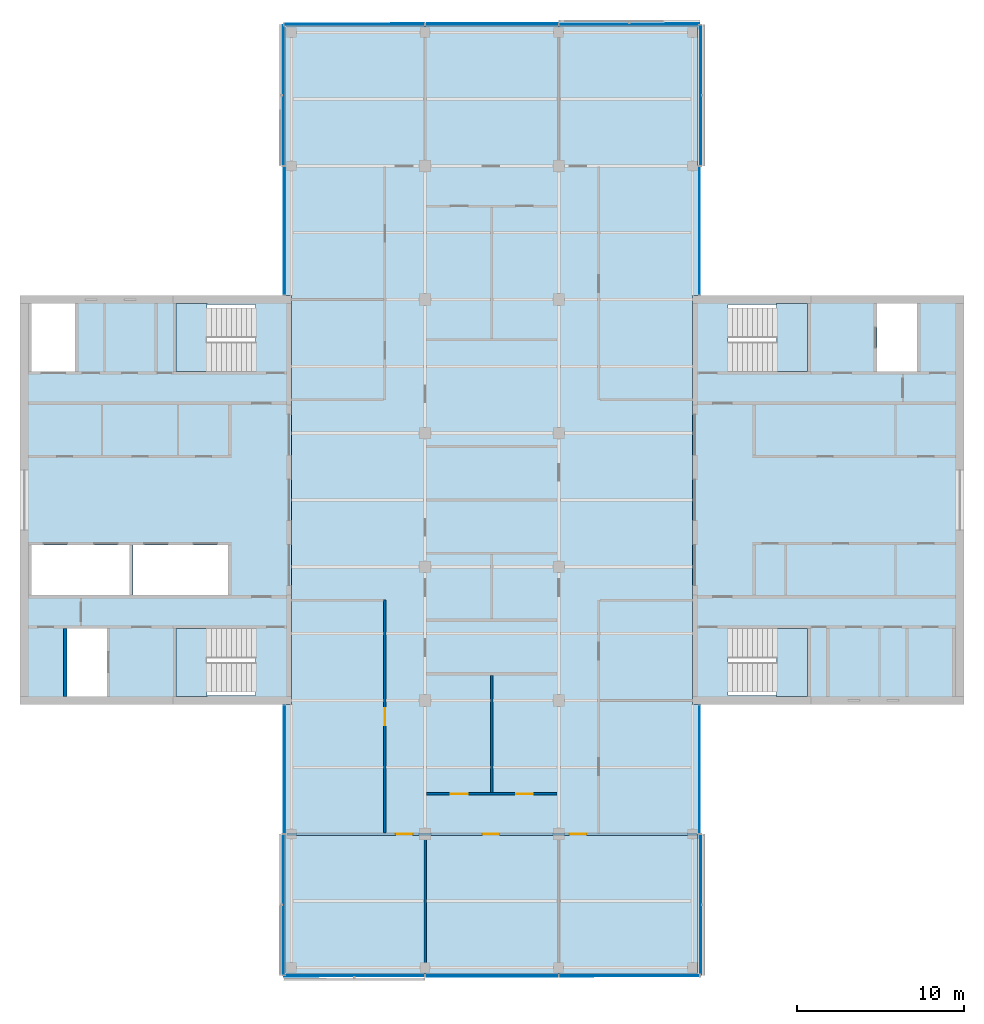
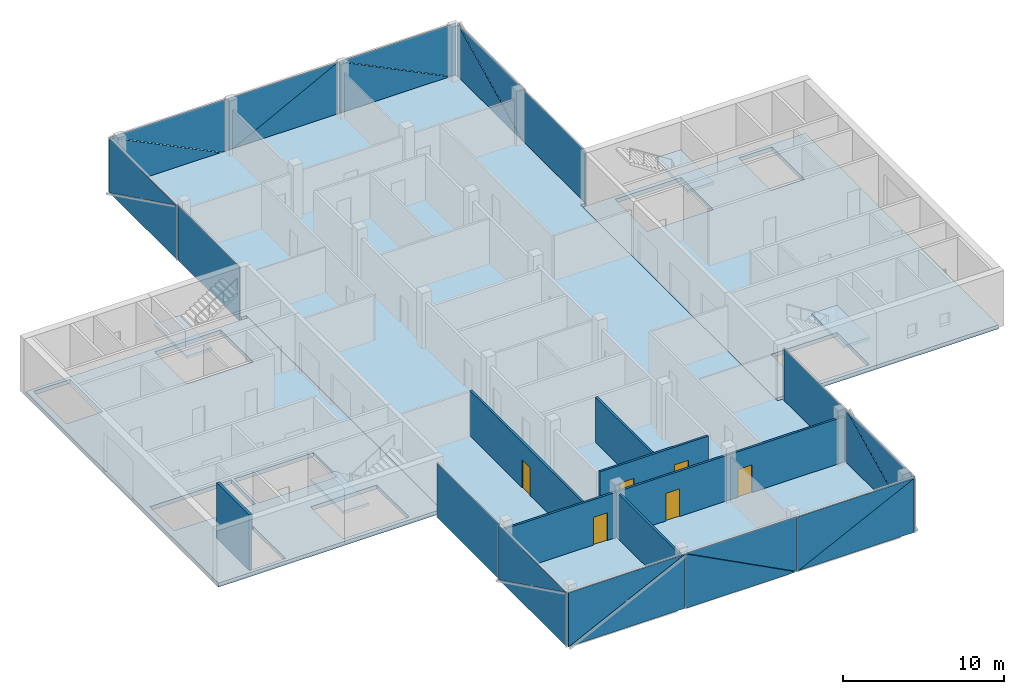
# One storey, part 8 of 16: 24 plates, 7 slabs, 6 doors, 6 walls, 6 openings, 14 elements without a shape of their own.
"""IFC4 building model written with IfcOpenShell, lengths in metres."""

from ifc_helpers import new_model, si_unit, direction, frame, frame_2d, origin, place, context, subcontext, project, spatial, polyline, rectangle, outline, extrude, material, layer, layer_set, type_object, element, fill, aggregate, save


model = new_model("IFC4")

# Units and contexts
model_context = context("Model", 3, precision=1e-05, world=origin(), true_north=direction((0.0, 1.0)))
body_context = subcontext(model_context, "Body", "Model", "MODEL_VIEW")
ifc_project = project(units=[si_unit("LENGTHUNIT", "METRE"), si_unit("AREAUNIT", "SQUARE_METRE"), si_unit("VOLUMEUNIT", "CUBIC_METRE"), si_unit("PLANEANGLEUNIT", "RADIAN"), si_unit("MASSUNIT", "GRAM", prefix="KILO")], contexts=[model_context])

# Site, building, storey
site_placement = place(None, origin())
site = spatial("IfcSite", under=ifc_project, at=site_placement, CompositionType="ELEMENT")
building_placement = place(site_placement, origin())
building = spatial("IfcBuilding", under=site, at=building_placement, Name="Crosswind Convention Tower", CompositionType="ELEMENT")
storey_placement = place(building_placement, frame((0.0, 0.0, 253.5)))
storey = spatial("IfcBuildingStorey", under=building, at=storey_placement, Name="L54", CompositionType="ELEMENT", Elevation=253.5)

# Slabs
ifc_material_1 = material(Name="Concrete C40/50", Category="concrete")
ifc_layer_1 = layer(ifc_material_1, 0.300048828125)
ifc_layer_set_1 = layer_set([ifc_layer_1], Name="Concrete C40/50")
slab_type_1 = type_object("IfcSlabType", Name="Composite floor slab 300", PredefinedType="FLOOR", material=ifc_layer_set_1)
slab_1_placement = place(storey_placement, frame((0.0, 0.0, -0.300048828125)))
element("IfcSlab", 1, at=slab_1_placement, inside=storey, type_object=slab_type_1, Name="Floor slab L54", PredefinedType="FLOOR", context=body_context, shape_type="SweptSolid", body=[
    extrude(outline(polyline([(137.35009765625, 71.64990234375), (137.0, 71.64990234375), (113.0, 71.64990234375), (112.64990234375, 71.64990234375), (112.64990234375, 72.0), (112.64990234375, 87.75), (113.0, 87.75), (113.0, 112.25), (112.64990234375, 112.25), (112.64990234375, 128.0), (112.64990234375, 128.35009765625), (113.0, 128.35009765625), (137.0, 128.35009765625), (137.35009765625, 128.35009765625), (137.35009765625, 128.0), (137.35009765625, 112.25), (137.0, 112.25), (137.0, 87.75), (137.35009765625, 87.75), (137.35009765625, 72.0), (137.35009765625, 71.64990234375)])), origin(), (0.0, 0.0, 1.0), 0.300048828125),
])
ifc_layer_2 = layer(ifc_material_1, 0.300048828125)
ifc_layer_set_2 = layer_set([ifc_layer_2], Name="Concrete C40/50")
slab_type_2 = type_object("IfcSlabType", Name="Concrete core floor slab 300", PredefinedType="FLOOR", material=ifc_layer_set_2)
slab_2_placement = place(storey_placement, frame((0.0, 0.0, -0.300048828125)))
element("IfcSlab", 2, at=slab_2_placement, inside=storey, type_object=slab_type_2, Name="Core floor slab E L54", PredefinedType="FLOOR", context=body_context, shape_type="SweptSolid", body=[
    extrude(outline(polyline([(137.0, 88.0), (153.0, 88.0), (153.0, 112.0), (137.0, 112.0), (137.0, 88.0)]), holes=[polyline([(150.449951171875, 107.699951171875), (150.449951171875, 111.75), (148.050048828125, 111.75), (148.050048828125, 107.699951171875), (150.449951171875, 107.699951171875)]), polyline([(143.89990234375, 107.699951171875), (143.89990234375, 111.699951171875), (139.14990234375, 111.699951171875), (139.14990234375, 107.699951171875), (143.89990234375, 107.699951171875)]), polyline([(143.89990234375, 88.300048828125), (143.89990234375, 92.300048828125), (139.14990234375, 92.300048828125), (139.14990234375, 88.300048828125), (143.89990234375, 88.300048828125)])]), origin(), (0.0, 0.0, 1.0), 0.300048828125),
])
slab_3_placement = place(storey_placement, frame((0.0, 0.0, -0.300048828125)))
element("IfcSlab", 3, at=slab_3_placement, inside=storey, type_object=slab_type_2, Name="Core floor slab W L54", PredefinedType="FLOOR", context=body_context, shape_type="SweptSolid", body=[
    extrude(outline(polyline([(97.0, 88.0), (113.0, 88.0), (113.0, 112.0), (97.0, 112.0), (97.0, 88.0)]), holes=[polyline([(109.199951171875, 94.300048828125), (109.199951171875, 97.300048828125), (103.5, 97.300048828125), (103.5, 94.300048828125), (109.199951171875, 94.300048828125)]), polyline([(103.300048828125, 94.300048828125), (103.300048828125, 97.300048828125), (97.449951171875, 97.300048828125), (97.449951171875, 94.300048828125), (103.300048828125, 94.300048828125)]), polyline([(101.949951171875, 88.25), (101.949951171875, 92.300048828125), (99.550048828125, 92.300048828125), (99.550048828125, 88.25), (101.949951171875, 88.25)]), polyline([(100.050048828125, 107.699951171875), (100.050048828125, 111.75), (97.449951171875, 111.75), (97.449951171875, 107.699951171875), (100.050048828125, 107.699951171875)]), polyline([(110.85009765625, 88.300048828125), (110.85009765625, 92.300048828125), (106.10009765625, 92.300048828125), (106.10009765625, 88.300048828125), (110.85009765625, 88.300048828125)]), polyline([(110.85009765625, 107.699951171875), (110.85009765625, 111.699951171875), (106.10009765625, 111.699951171875), (106.10009765625, 107.699951171875), (110.85009765625, 107.699951171875)])]), origin(), (0.0, 0.0, 1.0), 0.300048828125),
])

# Stair, slab
stair_type = type_object("IfcStairType", Name="Exit stair 1800 wide, 2 flights of 11 risers", PredefinedType="HALF_TURN_STAIR", material=ifc_material_1)
stair_1_placement = place(storey_placement, origin())
stair_1 = element("IfcStair", 4, at=stair_1_placement, inside=storey, type_object=stair_type, Name="Exit stair ST1 L54", ObjectType="ST5", PredefinedType="HALF_TURN_STAIR")
ifc_layer_3 = layer(ifc_material_1, 0.199951171875)
ifc_layer_set_3 = layer_set([ifc_layer_3], Name="Concrete C40/50")
slab_type_3 = type_object("IfcSlabType", Name="Stair landing 200", PredefinedType="LANDING", material=ifc_layer_set_3)
slab_4_placement = place(storey_placement, frame((0.0, 0.0, 1.89990234375)))
slab_4 = element("IfcSlab", 5, at=slab_4_placement, type_object=slab_type_3, Name="ST1 landing 1", PredefinedType="LANDING", context=body_context, shape_type="SweptSolid", body=[
    extrude(outline(polyline([(143.89990234375, 107.699951171875), (143.89990234375, 111.75), (142.050048828125, 111.75), (142.050048828125, 107.699951171875), (143.89990234375, 107.699951171875)])), origin(), (0.0, 0.0, 1.0), 0.2001953125),
])
aggregate(stair_1, [slab_4])

stair_2_placement = place(storey_placement, origin())
stair_2 = element("IfcStair", 6, at=stair_2_placement, inside=storey, type_object=stair_type, Name="Exit stair ST2 L54", ObjectType="ST5", PredefinedType="HALF_TURN_STAIR")
slab_5_placement = place(storey_placement, frame((0.0, 0.0, 1.89990234375)))
slab_5 = element("IfcSlab", 7, at=slab_5_placement, type_object=slab_type_3, Name="ST2 landing 1", PredefinedType="LANDING", context=body_context, shape_type="SweptSolid", body=[
    extrude(outline(polyline([(143.89990234375, 88.25), (143.89990234375, 92.300048828125), (142.050048828125, 92.300048828125), (142.050048828125, 88.25), (143.89990234375, 88.25)])), origin(), (0.0, 0.0, 1.0), 0.2001953125),
])
aggregate(stair_2, [slab_5])

stair_3_placement = place(storey_placement, origin())
stair_3 = element("IfcStair", 8, at=stair_3_placement, inside=storey, type_object=stair_type, Name="Exit stair ST3 L54", ObjectType="ST5", PredefinedType="HALF_TURN_STAIR")
slab_6_placement = place(storey_placement, frame((0.0, 0.0, 1.89990234375)))
slab_6 = element("IfcSlab", 9, at=slab_6_placement, type_object=slab_type_3, Name="ST3 landing 1", PredefinedType="LANDING", context=body_context, shape_type="SweptSolid", body=[
    extrude(outline(polyline([(107.949951171875, 88.25), (107.949951171875, 92.300048828125), (106.10009765625, 92.300048828125), (106.10009765625, 88.25), (107.949951171875, 88.25)])), origin(), (0.0, 0.0, 1.0), 0.2001953125),
])
aggregate(stair_3, [slab_6])

stair_4_placement = place(storey_placement, origin())
stair_4 = element("IfcStair", 10, at=stair_4_placement, inside=storey, type_object=stair_type, Name="Exit stair ST4 L54", ObjectType="ST5", PredefinedType="HALF_TURN_STAIR")
slab_7_placement = place(storey_placement, frame((0.0, 0.0, 1.89990234375)))
slab_7 = element("IfcSlab", 11, at=slab_7_placement, type_object=slab_type_3, Name="ST4 landing 1", PredefinedType="LANDING", context=body_context, shape_type="SweptSolid", body=[
    extrude(outline(polyline([(107.949951171875, 107.699951171875), (107.949951171875, 111.75), (106.10009765625, 111.75), (106.10009765625, 107.699951171875), (107.949951171875, 107.699951171875)])), origin(), (0.0, 0.0, 1.0), 0.2001953125),
])
aggregate(stair_4, [slab_7])

# Curtain wall, plate
ifc_material_2 = material(Name="Aluminium unitised curtain wall", Category="aluminium")
curtain_wall_type_1 = type_object("IfcCurtainWallType", Name="CORE END SLOT WALL 160", PredefinedType="USERDEFINED", material=ifc_material_2)
curtain_wall_1_placement = place(storey_placement, origin())
curtain_wall_1 = element("IfcCurtainWall", 12, at=curtain_wall_1_placement, inside=storey, type_object=curtain_wall_type_1, Name="CW6 L54 N-E.1-1 slot", ObjectType="UNITISED", PredefinedType="USERDEFINED")
ifc_material_3 = material(Name="Laminated insulating glass unit", Category="glass")
ifc_layer_4 = layer(ifc_material_3, 0.02587890625)
ifc_layer_set_4 = layer_set([ifc_layer_4], Name="TRIANGULAR GLASS PANEL 26")
plate_type_1 = type_object("IfcPlateType", Name="TRIANGULAR GLASS PANEL 26", PredefinedType="CURTAIN_PANEL", material=ifc_layer_set_4)
plate_1_placement = place(storey_placement, frame((137.456787109375, 112.300048828125, -0.300048828125), z_axis=(0.999999915215, 0.0, 0.000411788894), x_axis=(0.0, 1.0, 0.0)))
plate_1 = element("IfcPlate", 13, at=plate_1_placement, type_object=plate_type_1, Name="CW6 panel 1.1", PredefinedType="CURTAIN_PANEL", context=body_context, shape_type="SweptSolid", body=[
    extrude(outline(polyline([(0.0, 0.0), (7.64990234375, 0.0), (7.64990234375, 4.150146836245408), (0.0, 4.150146836245408), (0.0, 0.0)])), origin(), (0.0, 0.0, -1.0), 0.02587890625),
])
aggregate(curtain_wall_1, [plate_1])

curtain_wall_2_placement = place(storey_placement, origin())
curtain_wall_2 = element("IfcCurtainWall", 14, at=curtain_wall_2_placement, inside=storey, type_object=curtain_wall_type_1, Name="CW6 L54 N-W.1-2 slot", ObjectType="UNITISED", PredefinedType="USERDEFINED")
plate_2_placement = place(storey_placement, frame((112.543212890625, 119.949951171875, -0.300048828125), z_axis=(-0.999999915215, 0.0, 0.000411788894), x_axis=(0.0, -1.0, 0.0)))
plate_2 = element("IfcPlate", 15, at=plate_2_placement, type_object=plate_type_1, Name="CW6 panel 1.1", PredefinedType="CURTAIN_PANEL", context=body_context, shape_type="SweptSolid", body=[
    extrude(outline(polyline([(0.0, 0.0), (7.64990234375, 0.0), (7.64990234375, 4.150146836245408), (0.0, 4.150146836245408), (0.0, 0.0)])), origin(), (0.0, 0.0, -1.0), 0.02587890625),
])
aggregate(curtain_wall_2, [plate_2])

curtain_wall_3_placement = place(storey_placement, origin())
curtain_wall_3 = element("IfcCurtainWall", 16, at=curtain_wall_3_placement, inside=storey, type_object=curtain_wall_type_1, Name="CW6 L54 S-W.1-1 slot", ObjectType="UNITISED", PredefinedType="USERDEFINED")
plate_3_placement = place(storey_placement, frame((112.543212890625, 87.699951171875, -0.300048828125), z_axis=(-0.999999915215, 0.0, 0.000411788894), x_axis=(0.0, -1.0, 0.0)))
plate_3 = element("IfcPlate", 17, at=plate_3_placement, type_object=plate_type_1, Name="CW6 panel 1.1", PredefinedType="CURTAIN_PANEL", context=body_context, shape_type="SweptSolid", body=[
    extrude(outline(polyline([(0.0, 0.0), (7.64990234375, 0.0), (7.64990234375, 4.150146836245408), (0.0, 4.150146836245408), (0.0, 0.0)])), origin(), (0.0, 0.0, -1.0), 0.02587890625),
])
aggregate(curtain_wall_3, [plate_3])

curtain_wall_4_placement = place(storey_placement, origin())
curtain_wall_4 = element("IfcCurtainWall", 18, at=curtain_wall_4_placement, inside=storey, type_object=curtain_wall_type_1, Name="CW6 L54 S-E.1-2 slot", ObjectType="UNITISED", PredefinedType="USERDEFINED")
plate_4_placement = place(storey_placement, frame((137.456787109375, 80.050048828125, -0.300048828125), z_axis=(0.999999915215, 0.0, 0.000411788894), x_axis=(0.0, 1.0, 0.0)))
plate_4 = element("IfcPlate", 19, at=plate_4_placement, type_object=plate_type_1, Name="CW6 panel 1.1", PredefinedType="CURTAIN_PANEL", context=body_context, shape_type="SweptSolid", body=[
    extrude(outline(polyline([(0.0, 0.0), (7.64990234375, 0.0), (7.64990234375, 4.150146836245408), (0.0, 4.150146836245408), (0.0, 0.0)])), origin(), (0.0, 0.0, -1.0), 0.02587890625),
])
aggregate(curtain_wall_4, [plate_4])

# Curtain wall, plates
curtain_wall_type_2 = type_object("IfcCurtainWallType", Name="OFFICE UNITISED WALL 220", PredefinedType="USERDEFINED", material=ifc_material_2)
curtain_wall_5_placement = place(storey_placement, origin())
curtain_wall_5 = element("IfcCurtainWall", 20, at=curtain_wall_5_placement, inside=storey, type_object=curtain_wall_type_2, Name="CW3 L54 N-E 1", ObjectType="UNITISED", PredefinedType="USERDEFINED")
ifc_layer_5 = layer(ifc_material_3, 0.031982421875)
ifc_layer_set_5 = layer_set([ifc_layer_5], Name="TRIANGULAR GLASS PANEL 32")
plate_type_2 = type_object("IfcPlateType", Name="TRIANGULAR GLASS PANEL 32", PredefinedType="CURTAIN_PANEL", material=ifc_layer_set_5)
plate_5_placement = place(storey_placement, frame((137.492919921875, 128.425048828125, -0.300048828125), z_axis=(0.999999913924, 0.0, 0.000414913129), x_axis=(-0.000414913129, 0.0, 0.999999913924)))
plate_5 = element("IfcPlate", 21, at=plate_5_placement, type_object=plate_type_2, Name="CW3 panel 1.1", PredefinedType="CURTAIN_PANEL", context=body_context, shape_type="SweptSolid", body=[
    extrude(outline(polyline([(0.0, 0.0), (4.118896838915043, 0.0), (0.0, 8.367431640625), (0.0, 0.0)])), origin(), (0.0, 0.0, -1.0), 0.031982421875),
])
plate_6_placement = place(storey_placement, frame((137.525146484375, 120.034912109375, 3.830078125), z_axis=(0.999999913924, 0.0, 0.000414913129), x_axis=(0.000414913129, 0.0, -0.999999913924)))
plate_6 = element("IfcPlate", 22, at=plate_6_placement, type_object=plate_type_2, Name="CW3 panel 1.2", PredefinedType="CURTAIN_PANEL", context=body_context, shape_type="SweptSolid", body=[
    extrude(outline(polyline([(0.0, 0.0), (4.118896838915043, 0.0), (0.0, 8.367431640625), (0.0, 0.0)])), origin(), (0.0, 0.0, -1.0), 0.031982421875),
])
aggregate(curtain_wall_5, [plate_5, plate_6])

curtain_wall_6_placement = place(storey_placement, origin())
curtain_wall_6 = element("IfcCurtainWall", 23, at=curtain_wall_6_placement, inside=storey, type_object=curtain_wall_type_2, Name="CW3 L54 N-TIP 1", ObjectType="UNITISED", PredefinedType="USERDEFINED")
plate_7_placement = place(storey_placement, frame((129.034912109375, 128.492919921875, -0.300048828125), z_axis=(0.0, 0.999999913924, 0.000414913129), x_axis=(0.0, -0.000414913129, 0.999999913924)))
plate_7 = element("IfcPlate", 24, at=plate_7_placement, type_object=plate_type_2, Name="CW3 panel 1.1", PredefinedType="CURTAIN_PANEL", context=body_context, shape_type="SweptSolid", body=[
    extrude(outline(polyline([(0.0, 0.0), (4.118896838915043, 0.0), (0.0, 8.367431640625), (0.0, 0.0)])), origin(), (0.0, 0.0, -1.0), 0.031982421875),
])
plate_8_placement = place(storey_placement, frame((137.425048828125, 128.525146484375, 3.830078125), z_axis=(0.0, 0.999999913924, 0.000414913129), x_axis=(0.0, 0.000414913129, -0.999999913924)))
plate_8 = element("IfcPlate", 25, at=plate_8_placement, type_object=plate_type_2, Name="CW3 panel 1.2", PredefinedType="CURTAIN_PANEL", context=body_context, shape_type="SweptSolid", body=[
    extrude(outline(polyline([(0.0, 0.0), (4.118896838915043, 0.0), (0.0, 8.367431640625), (0.0, 0.0)])), origin(), (0.0, 0.0, -1.0), 0.031982421875),
])
plate_9_placement = place(storey_placement, frame((121.034912109375, 128.4912109375, 3.830078125), z_axis=(0.0, 0.999999913924, 0.000414913129), x_axis=(1.0, 0.0, 0.0)))
plate_9 = element("IfcPlate", 26, at=plate_9_placement, type_object=plate_type_2, Name="CW3 panel 2.1", PredefinedType="CURTAIN_PANEL", context=body_context, shape_type="SweptSolid", body=[
    extrude(outline(polyline([(0.0, 0.0), (7.908447265625, 0.0), (0.0, 4.118896838915043), (0.0, 0.0)])), origin(), (0.0, 0.0, -1.0), 0.031982421875),
])
plate_10_placement = place(storey_placement, frame((128.965087890625, 128.52685546875, -0.300048828125), z_axis=(0.0, 0.999999913913, 0.000414937724), x_axis=(-1.0, 0.0, 0.0)))
plate_10 = element("IfcPlate", 27, at=plate_10_placement, type_object=plate_type_2, Name="CW3 panel 2.2", PredefinedType="CURTAIN_PANEL", context=body_context, shape_type="SweptSolid", body=[
    extrude(outline(polyline([(0.0, 0.0), (7.908447265625, 0.0), (0.0, 4.118652698311059), (0.0, 0.0)])), origin(), (0.0, 0.0, -1.0), 0.031982421875),
])
plate_11_placement = place(storey_placement, frame((112.574951171875, 128.492919921875, -0.300048828125), z_axis=(0.0, 0.999999913924, 0.000414913129), x_axis=(0.0, -0.000414913129, 0.999999913924)))
plate_11 = element("IfcPlate", 28, at=plate_11_placement, type_object=plate_type_2, Name="CW3 panel 3.1", PredefinedType="CURTAIN_PANEL", context=body_context, shape_type="SweptSolid", body=[
    extrude(outline(polyline([(0.0, 0.0), (4.118896838915043, 0.0), (0.0, 8.367431640625), (0.0, 0.0)])), origin(), (0.0, 0.0, -1.0), 0.031982421875),
])
plate_12_placement = place(storey_placement, frame((120.965087890625, 128.525146484375, 3.830078125), z_axis=(0.0, 0.999999913924, 0.000414913129), x_axis=(0.0, 0.000414913129, -0.999999913924)))
plate_12 = element("IfcPlate", 29, at=plate_12_placement, type_object=plate_type_2, Name="CW3 panel 3.2", PredefinedType="CURTAIN_PANEL", context=body_context, shape_type="SweptSolid", body=[
    extrude(outline(polyline([(0.0, 0.0), (4.118896838915043, 0.0), (0.0, 8.367431640625), (0.0, 0.0)])), origin(), (0.0, 0.0, -1.0), 0.031982421875),
])
aggregate(curtain_wall_6, [plate_7, plate_8, plate_9, plate_10, plate_11, plate_12])

curtain_wall_7_placement = place(storey_placement, origin())
curtain_wall_7 = element("IfcCurtainWall", 30, at=curtain_wall_7_placement, inside=storey, type_object=curtain_wall_type_2, Name="CW3 L54 N-W 1", ObjectType="UNITISED", PredefinedType="USERDEFINED")
plate_13_placement = place(storey_placement, frame((112.507080078125, 120.034912109375, -0.300048828125), z_axis=(-0.999999913924, 0.0, 0.000414913129), x_axis=(0.000414913129, 0.0, 0.999999913924)))
plate_13 = element("IfcPlate", 31, at=plate_13_placement, type_object=plate_type_2, Name="CW3 panel 1.1", PredefinedType="CURTAIN_PANEL", context=body_context, shape_type="SweptSolid", body=[
    extrude(outline(polyline([(0.0, 0.0), (4.118896838915043, 0.0), (0.0, 8.367431640625), (0.0, 0.0)])), origin(), (0.0, 0.0, -1.0), 0.031982421875),
])
plate_14_placement = place(storey_placement, frame((112.474853515625, 128.425048828125, 3.830078125), z_axis=(-0.999999913924, 0.0, 0.000414913129), x_axis=(-0.000414913129, 0.0, -0.999999913924)))
plate_14 = element("IfcPlate", 32, at=plate_14_placement, type_object=plate_type_2, Name="CW3 panel 1.2", PredefinedType="CURTAIN_PANEL", context=body_context, shape_type="SweptSolid", body=[
    extrude(outline(polyline([(0.0, 0.0), (4.118896838915043, 0.0), (0.0, 8.367431640625), (0.0, 0.0)])), origin(), (0.0, 0.0, -1.0), 0.031982421875),
])
aggregate(curtain_wall_7, [plate_13, plate_14])

curtain_wall_8_placement = place(storey_placement, origin())
curtain_wall_8 = element("IfcCurtainWall", 33, at=curtain_wall_8_placement, inside=storey, type_object=curtain_wall_type_2, Name="CW3 L54 S-W 1", ObjectType="UNITISED", PredefinedType="USERDEFINED")
plate_15_placement = place(storey_placement, frame((112.507080078125, 71.574951171875, -0.300048828125), z_axis=(-0.999999913924, 0.0, 0.000414913129), x_axis=(0.000414913129, 0.0, 0.999999913924)))
plate_15 = element("IfcPlate", 34, at=plate_15_placement, type_object=plate_type_2, Name="CW3 panel 1.1", PredefinedType="CURTAIN_PANEL", context=body_context, shape_type="SweptSolid", body=[
    extrude(outline(polyline([(0.0, 0.0), (4.118896838915043, 0.0), (0.0, 8.367431640625), (0.0, 0.0)])), origin(), (0.0, 0.0, -1.0), 0.031982421875),
])
plate_16_placement = place(storey_placement, frame((112.474853515625, 79.965087890625, 3.830078125), z_axis=(-0.999999913924, 0.0, 0.000414913129), x_axis=(-0.000414913129, 0.0, -0.999999913924)))
plate_16 = element("IfcPlate", 35, at=plate_16_placement, type_object=plate_type_2, Name="CW3 panel 1.2", PredefinedType="CURTAIN_PANEL", context=body_context, shape_type="SweptSolid", body=[
    extrude(outline(polyline([(0.0, 0.0), (4.118896838915043, 0.0), (0.0, 8.367431640625), (0.0, 0.0)])), origin(), (0.0, 0.0, -1.0), 0.031982421875),
])
aggregate(curtain_wall_8, [plate_15, plate_16])

curtain_wall_9_placement = place(storey_placement, origin())
curtain_wall_9 = element("IfcCurtainWall", 36, at=curtain_wall_9_placement, inside=storey, type_object=curtain_wall_type_2, Name="CW3 L54 S-TIP 1", ObjectType="UNITISED", PredefinedType="USERDEFINED")
plate_17_placement = place(storey_placement, frame((120.965087890625, 71.507080078125, -0.300048828125), z_axis=(0.0, -0.999999913924, 0.000414913129), x_axis=(0.0, 0.000414913129, 0.999999913924)))
plate_17 = element("IfcPlate", 37, at=plate_17_placement, type_object=plate_type_2, Name="CW3 panel 1.1", PredefinedType="CURTAIN_PANEL", context=body_context, shape_type="SweptSolid", body=[
    extrude(outline(polyline([(0.0, 0.0), (4.118896838915043, 0.0), (0.0, 8.367431640625), (0.0, 0.0)])), origin(), (0.0, 0.0, -1.0), 0.031982421875),
])
plate_18_placement = place(storey_placement, frame((112.574951171875, 71.474853515625, 3.830078125), z_axis=(0.0, -0.999999913924, 0.000414913129), x_axis=(0.0, -0.000414913129, -0.999999913924)))
plate_18 = element("IfcPlate", 38, at=plate_18_placement, type_object=plate_type_2, Name="CW3 panel 1.2", PredefinedType="CURTAIN_PANEL", context=body_context, shape_type="SweptSolid", body=[
    extrude(outline(polyline([(0.0, 0.0), (4.118896838915043, 0.0), (0.0, 8.367431640625), (0.0, 0.0)])), origin(), (0.0, 0.0, -1.0), 0.031982421875),
])
plate_19_placement = place(storey_placement, frame((128.965087890625, 71.5087890625, 3.830078125), z_axis=(0.0, -0.999999913924, 0.000414913129), x_axis=(-1.0, 0.0, 0.0)))
plate_19 = element("IfcPlate", 39, at=plate_19_placement, type_object=plate_type_2, Name="CW3 panel 2.1", PredefinedType="CURTAIN_PANEL", context=body_context, shape_type="SweptSolid", body=[
    extrude(outline(polyline([(0.0, 0.0), (7.908447265625, 0.0), (0.0, 4.118896838915043), (0.0, 0.0)])), origin(), (0.0, 0.0, -1.0), 0.031982421875),
])
plate_20_placement = place(storey_placement, frame((121.034912109375, 71.47314453125, -0.300048828125), z_axis=(0.0, -0.999999913913, 0.000414937724), x_axis=(1.0, 0.0, 0.0)))
plate_20 = element("IfcPlate", 40, at=plate_20_placement, type_object=plate_type_2, Name="CW3 panel 2.2", PredefinedType="CURTAIN_PANEL", context=body_context, shape_type="SweptSolid", body=[
    extrude(outline(polyline([(0.0, 0.0), (7.908447265625, 0.0), (0.0, 4.118652698311059), (0.0, 0.0)])), origin(), (0.0, 0.0, -1.0), 0.031982421875),
])
plate_21_placement = place(storey_placement, frame((137.425048828125, 71.507080078125, -0.300048828125), z_axis=(0.0, -0.999999913924, 0.000414913129), x_axis=(0.0, 0.000414913129, 0.999999913924)))
plate_21 = element("IfcPlate", 41, at=plate_21_placement, type_object=plate_type_2, Name="CW3 panel 3.1", PredefinedType="CURTAIN_PANEL", context=body_context, shape_type="SweptSolid", body=[
    extrude(outline(polyline([(0.0, 0.0), (4.118896838915043, 0.0), (0.0, 8.367431640625), (0.0, 0.0)])), origin(), (0.0, 0.0, -1.0), 0.031982421875),
])
plate_22_placement = place(storey_placement, frame((129.034912109375, 71.474853515625, 3.830078125), z_axis=(0.0, -0.999999913924, 0.000414913129), x_axis=(0.0, -0.000414913129, -0.999999913924)))
plate_22 = element("IfcPlate", 42, at=plate_22_placement, type_object=plate_type_2, Name="CW3 panel 3.2", PredefinedType="CURTAIN_PANEL", context=body_context, shape_type="SweptSolid", body=[
    extrude(outline(polyline([(0.0, 0.0), (4.118896838915043, 0.0), (0.0, 8.367431640625), (0.0, 0.0)])), origin(), (0.0, 0.0, -1.0), 0.031982421875),
])
aggregate(curtain_wall_9, [plate_17, plate_18, plate_19, plate_20, plate_21, plate_22])

curtain_wall_10_placement = place(storey_placement, origin())
curtain_wall_10 = element("IfcCurtainWall", 43, at=curtain_wall_10_placement, inside=storey, type_object=curtain_wall_type_2, Name="CW3 L54 S-E 1", ObjectType="UNITISED", PredefinedType="USERDEFINED")
plate_23_placement = place(storey_placement, frame((137.492919921875, 79.965087890625, -0.300048828125), z_axis=(0.999999913924, 0.0, 0.000414913129), x_axis=(-0.000414913129, 0.0, 0.999999913924)))
plate_23 = element("IfcPlate", 44, at=plate_23_placement, type_object=plate_type_2, Name="CW3 panel 1.1", PredefinedType="CURTAIN_PANEL", context=body_context, shape_type="SweptSolid", body=[
    extrude(outline(polyline([(0.0, 0.0), (4.118896838915043, 0.0), (0.0, 8.367431640625), (0.0, 0.0)])), origin(), (0.0, 0.0, -1.0), 0.031982421875),
])
plate_24_placement = place(storey_placement, frame((137.525146484375, 71.574951171875, 3.830078125), z_axis=(0.999999913924, 0.0, 0.000414913129), x_axis=(0.000414913129, 0.0, -0.999999913924)))
plate_24 = element("IfcPlate", 45, at=plate_24_placement, type_object=plate_type_2, Name="CW3 panel 1.2", PredefinedType="CURTAIN_PANEL", context=body_context, shape_type="SweptSolid", body=[
    extrude(outline(polyline([(0.0, 0.0), (4.118896838915043, 0.0), (0.0, 8.367431640625), (0.0, 0.0)])), origin(), (0.0, 0.0, -1.0), 0.031982421875),
])
aggregate(curtain_wall_10, [plate_23, plate_24])

# Wall
ifc_material_4 = material(Name="Concrete C50/60", Category="concrete")
ifc_layer_6 = layer(ifc_material_4, 0.199951171875)
ifc_layer_set_6 = layer_set([ifc_layer_6], Name="Concrete C50/60")
wall_type_1 = type_object("IfcWallType", Name="Concrete shaft and stair wall 200", PredefinedType="SHEAR", material=ifc_layer_set_6)
wall_1_placement = place(storey_placement, frame((99.449951171875, 92.300048828125, 0.0), z_axis=(0.0, 0.0, 1.0), x_axis=(0.0, -1.0, 0.0)))
element("IfcWall", 46, at=wall_1_placement, inside=storey, type_object=wall_type_1, Name="Wall PFSE W L54", PredefinedType="SHEAR", context=body_context, shape_type="SweptSolid", body=[
    extrude(rectangle(XDim=4.050048828125, YDim=0.199951171875, at=frame_2d((2.02490234375, 0.0))), origin(), (0.0, 0.0, 1.0), 4.199951171875),
])

# Wall, opening, door
ifc_material_5 = material(Name="Fire-board partition with mineral wool", Category="gypsum")
ifc_layer_7 = layer(ifc_material_5, 0.14990234375)
ifc_layer_set_7 = layer_set([ifc_layer_7], Name="TENANCY WALL 150 TWO-HOUR BOARD")
wall_type_2 = type_object("IfcWallType", Name="TENANCY WALL 150 TWO-HOUR BOARD", PredefinedType="PARTITIONING", material=ifc_layer_set_7)
wall_2_placement = place(storey_placement, frame((118.60009765625, 80.074951171875, 0.0), z_axis=(0.0, 0.0, 1.0), x_axis=(0.0, 1.0, 0.0)))
wall_2 = element("IfcWall", 47, at=wall_2_placement, inside=storey, type_object=wall_type_2, Name="Tenancy wall WT41", PredefinedType="PARTITIONING", context=body_context, shape_type="SweptSolid", body=[
    extrude(rectangle(XDim=13.925048828125, YDim=0.14990234375, at=frame_2d((6.96240234375, 0.0))), origin(), (0.0, 0.0, 1.0), 3.44287109375),
])
opening_1_placement = place(wall_2_placement, frame((6.449951171875, 0.0, 0.0)))
opening_1 = element("IfcOpeningElement", 48, at=opening_1_placement, cuts=wall_2, Name="Opening L54-55", PredefinedType="OPENING", context=body_context, shape_type="SweptSolid", body=[
    extrude(rectangle(XDim=1.0, YDim=2.10009765625, at=frame_2d((0.5, 1.050048828125))), frame((0.0, 0.0849609375, 0.0), z_axis=(0.0, -1.0, 0.0), x_axis=(1.0, 0.0, 0.0)), (0.0, 0.0, 1.0), 0.169921875),
])
ifc_material_6 = material(Name="Timber fire door", Category="wood")
door_type = type_object("IfcDoorType", Name="TENANCY ENTRANCE DOOR 1000X2100 FD30S", OperationType="NOTDEFINED", PredefinedType="DOOR", material=ifc_material_6)
door_1_placement = place(opening_1_placement, origin())
door_1 = element("IfcDoor", 49, at=door_1_placement, inside=storey, type_object=door_type, Name="Door L54-55", ObjectType="D41", OperationType="SINGLE_SWING_RIGHT", OverallHeight=2.10009765625, OverallWidth=1.0, PredefinedType="DOOR", context=body_context, shape_type="SweptSolid", body=[
    extrude(rectangle(XDim=1.0, YDim=2.10009765625, at=frame_2d((0.5, 1.050048828125))), frame((0.0, 0.02490234375, 0.0), z_axis=(0.0, -1.0, 0.0), x_axis=(1.0, 0.0, 0.0)), (0.0, 0.0, 1.0), 0.050048828125),
])
fill(opening_1, door_1)

# Walls
wall_3_placement = place(storey_placement, frame((121.0, 71.72998046875, 0.0), z_axis=(0.0, 0.0, 1.0), x_axis=(0.0, 1.0, 0.0)))
element("IfcWall", 50, at=wall_3_placement, inside=storey, type_object=wall_type_2, Name="Tenancy wall WT41", PredefinedType="PARTITIONING", context=body_context, shape_type="SweptSolid", body=[
    extrude(rectangle(XDim=8.195068359375, YDim=0.14990234375, at=frame_2d((4.09765625, 0.0))), origin(), (0.0, 0.0, 1.0), 3.44287109375),
])
wall_4_placement = place(storey_placement, frame((125.0, 82.47509765625, 0.0), z_axis=(0.0, 0.0, 1.0), x_axis=(0.0, 1.0, 0.0)))
element("IfcWall", 51, at=wall_4_placement, inside=storey, type_object=wall_type_2, Name="Tenancy wall WT41", PredefinedType="PARTITIONING", context=body_context, shape_type="SweptSolid", body=[
    extrude(rectangle(XDim=7.02490234375, YDim=0.14990234375, at=frame_2d((3.512451171875, 0.0))), origin(), (0.0, 0.0, 1.0), 3.44287109375),
])

# Wall, openings, doors
wall_5_placement = place(storey_placement, frame((112.72998046875, 80.0, 0.0), z_axis=(0.0, 0.0, 1.0), x_axis=(1.0, 0.0, 0.0)))
wall_5 = element("IfcWall", 52, at=wall_5_placement, inside=storey, type_object=wall_type_2, Name="Tenancy wall WT41", PredefinedType="PARTITIONING", context=body_context, shape_type="SweptSolid", body=[
    extrude(rectangle(XDim=24.5400390625, YDim=0.14990234375, at=frame_2d((12.27001953125, 0.0))), origin(), (0.0, 0.0, 1.0), 3.44287109375),
])
opening_2_placement = place(wall_5_placement, frame((6.52001953125, 0.0, 0.0)))
opening_2 = element("IfcOpeningElement", 53, at=opening_2_placement, cuts=wall_5, Name="Opening L54-59", PredefinedType="OPENING", context=body_context, shape_type="SweptSolid", body=[
    extrude(rectangle(XDim=1.0, YDim=2.10009765625, at=frame_2d((0.5, 1.050048828125))), frame((0.0, 0.0849609375, 0.0), z_axis=(0.0, -1.0, 0.0), x_axis=(1.0, 0.0, 0.0)), (0.0, 0.0, 1.0), 0.169921875),
])
opening_3_placement = place(wall_5_placement, frame((11.719970703125, 0.0, 0.0)))
opening_3 = element("IfcOpeningElement", 54, at=opening_3_placement, cuts=wall_5, Name="Opening L54-60", PredefinedType="OPENING", context=body_context, shape_type="SweptSolid", body=[
    extrude(rectangle(XDim=1.0, YDim=2.10009765625, at=frame_2d((0.5, 1.050048828125))), frame((0.0, 0.0849609375, 0.0), z_axis=(0.0, -1.0, 0.0), x_axis=(1.0, 0.0, 0.0)), (0.0, 0.0, 1.0), 0.169921875),
])
opening_4_placement = place(wall_5_placement, frame((16.919921875, 0.0, 0.0)))
opening_4 = element("IfcOpeningElement", 55, at=opening_4_placement, cuts=wall_5, Name="Opening L54-61", PredefinedType="OPENING", context=body_context, shape_type="SweptSolid", body=[
    extrude(rectangle(XDim=1.0, YDim=2.10009765625, at=frame_2d((0.5, 1.050048828125))), frame((0.0, 0.0849609375, 0.0), z_axis=(0.0, -1.0, 0.0), x_axis=(1.0, 0.0, 0.0)), (0.0, 0.0, 1.0), 0.169921875),
])
door_2_placement = place(opening_2_placement, frame((1.0, 0.0, 0.0), z_axis=(0.0, 0.0, 1.0), x_axis=(-1.0, 0.0, 0.0)))
door_2 = element("IfcDoor", 56, at=door_2_placement, inside=storey, type_object=door_type, Name="Door L54-59", ObjectType="D41", OperationType="SINGLE_SWING_LEFT", OverallHeight=2.10009765625, OverallWidth=1.0, PredefinedType="DOOR", context=body_context, shape_type="SweptSolid", body=[
    extrude(rectangle(XDim=1.0, YDim=2.10009765625, at=frame_2d((0.5, 1.050048828125))), frame((0.0, 0.02490234375, 0.0), z_axis=(0.0, -1.0, 0.0), x_axis=(1.0, 0.0, 0.0)), (0.0, 0.0, 1.0), 0.050048828125),
])
fill(opening_2, door_2)
door_3_placement = place(opening_3_placement, frame((1.0, 0.0, 0.0), z_axis=(0.0, 0.0, 1.0), x_axis=(-1.0, 0.0, 0.0)))
door_3 = element("IfcDoor", 57, at=door_3_placement, inside=storey, type_object=door_type, Name="Door L54-60", ObjectType="D41", OperationType="SINGLE_SWING_RIGHT", OverallHeight=2.10009765625, OverallWidth=1.0, PredefinedType="DOOR", context=body_context, shape_type="SweptSolid", body=[
    extrude(rectangle(XDim=1.0, YDim=2.10009765625, at=frame_2d((0.5, 1.050048828125))), frame((0.0, 0.02490234375, 0.0), z_axis=(0.0, -1.0, 0.0), x_axis=(1.0, 0.0, 0.0)), (0.0, 0.0, 1.0), 0.050048828125),
])
fill(opening_3, door_3)
door_4_placement = place(opening_4_placement, frame((1.0, 0.0, 0.0), z_axis=(0.0, 0.0, 1.0), x_axis=(-1.0, 0.0, 0.0)))
door_4 = element("IfcDoor", 58, at=door_4_placement, inside=storey, type_object=door_type, Name="Door L54-61", ObjectType="D41", OperationType="SINGLE_SWING_RIGHT", OverallHeight=2.10009765625, OverallWidth=1.0, PredefinedType="DOOR", context=body_context, shape_type="SweptSolid", body=[
    extrude(rectangle(XDim=1.0, YDim=2.10009765625, at=frame_2d((0.5, 1.050048828125))), frame((0.0, 0.02490234375, 0.0), z_axis=(0.0, -1.0, 0.0), x_axis=(1.0, 0.0, 0.0)), (0.0, 0.0, 1.0), 0.050048828125),
])
fill(opening_4, door_4)

wall_6_placement = place(storey_placement, frame((121.10009765625, 82.39990234375, 0.0), z_axis=(0.0, 0.0, 1.0), x_axis=(1.0, 0.0, 0.0)))
wall_6 = element("IfcWall", 59, at=wall_6_placement, inside=storey, type_object=wall_type_2, Name="Tenancy wall WT41", PredefinedType="PARTITIONING", context=body_context, shape_type="SweptSolid", body=[
    extrude(rectangle(XDim=7.7998046875, YDim=0.14990234375, at=frame_2d((3.89990234375, 0.0))), origin(), (0.0, 0.0, 1.0), 3.44287109375),
])
opening_5_placement = place(wall_6_placement, frame((1.449951171875, 0.0, 0.0)))
opening_5 = element("IfcOpeningElement", 60, at=opening_5_placement, cuts=wall_6, Name="Opening L54-62", PredefinedType="OPENING", context=body_context, shape_type="SweptSolid", body=[
    extrude(rectangle(XDim=1.0, YDim=2.10009765625, at=frame_2d((0.5, 1.050048828125))), frame((0.0, 0.0849609375, 0.0), z_axis=(0.0, -1.0, 0.0), x_axis=(1.0, 0.0, 0.0)), (0.0, 0.0, 1.0), 0.169921875),
])
opening_6_placement = place(wall_6_placement, frame((5.35009765625, 0.0, 0.0)))
opening_6 = element("IfcOpeningElement", 61, at=opening_6_placement, cuts=wall_6, Name="Opening L54-63", PredefinedType="OPENING", context=body_context, shape_type="SweptSolid", body=[
    extrude(rectangle(XDim=1.0, YDim=2.10009765625, at=frame_2d((0.5, 1.050048828125))), frame((0.0, 0.0849609375, 0.0), z_axis=(0.0, -1.0, 0.0), x_axis=(1.0, 0.0, 0.0)), (0.0, 0.0, 1.0), 0.169921875),
])
door_5_placement = place(opening_5_placement, origin())
door_5 = element("IfcDoor", 62, at=door_5_placement, inside=storey, type_object=door_type, Name="Door L54-62", ObjectType="D41", OperationType="SINGLE_SWING_RIGHT", OverallHeight=2.10009765625, OverallWidth=1.0, PredefinedType="DOOR", context=body_context, shape_type="SweptSolid", body=[
    extrude(rectangle(XDim=1.0, YDim=2.10009765625, at=frame_2d((0.5, 1.050048828125))), frame((0.0, 0.02490234375, 0.0), z_axis=(0.0, -1.0, 0.0), x_axis=(1.0, 0.0, 0.0)), (0.0, 0.0, 1.0), 0.050048828125),
])
fill(opening_5, door_5)
door_6_placement = place(opening_6_placement, origin())
door_6 = element("IfcDoor", 63, at=door_6_placement, inside=storey, type_object=door_type, Name="Door L54-63", ObjectType="D41", OperationType="SINGLE_SWING_LEFT", OverallHeight=2.10009765625, OverallWidth=1.0, PredefinedType="DOOR", context=body_context, shape_type="SweptSolid", body=[
    extrude(rectangle(XDim=1.0, YDim=2.10009765625, at=frame_2d((0.5, 1.050048828125))), frame((0.0, 0.02490234375, 0.0), z_axis=(0.0, -1.0, 0.0), x_axis=(1.0, 0.0, 0.0)), (0.0, 0.0, 1.0), 0.050048828125),
])
fill(opening_6, door_6)

save(model, "model.ifc")
